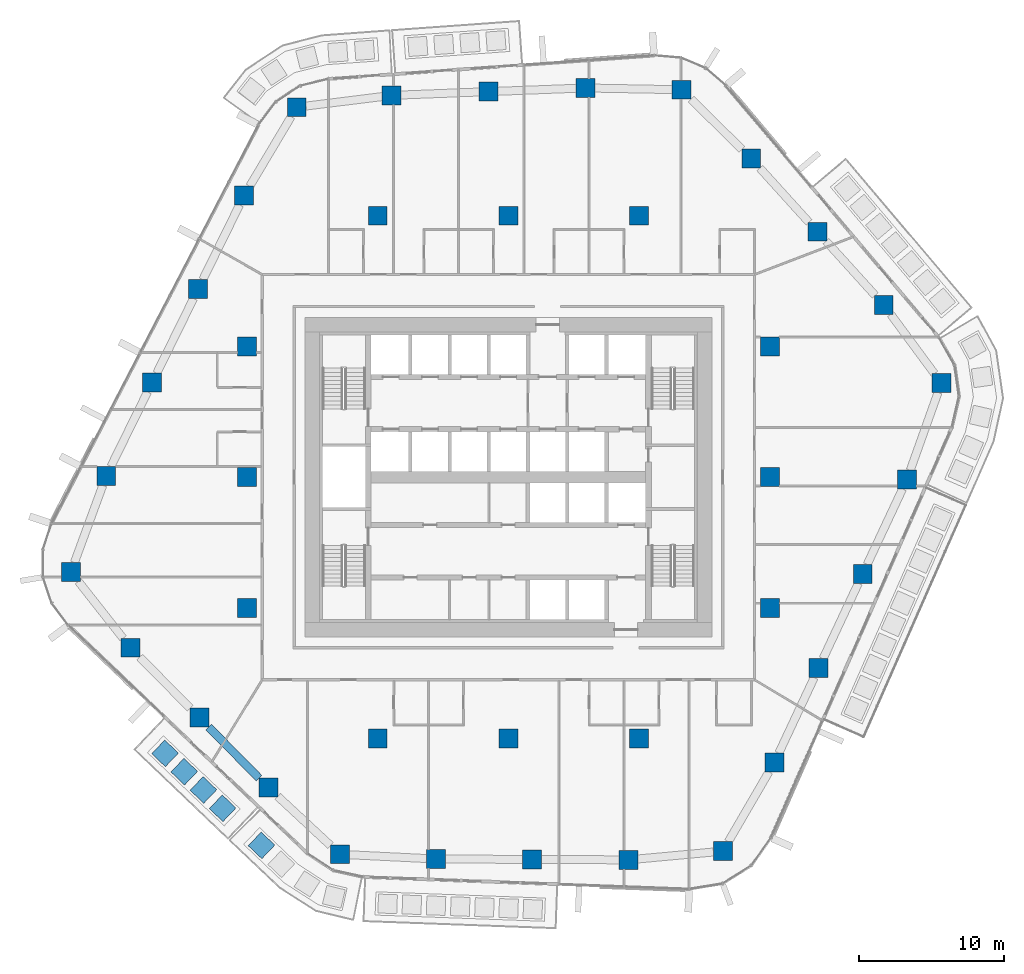
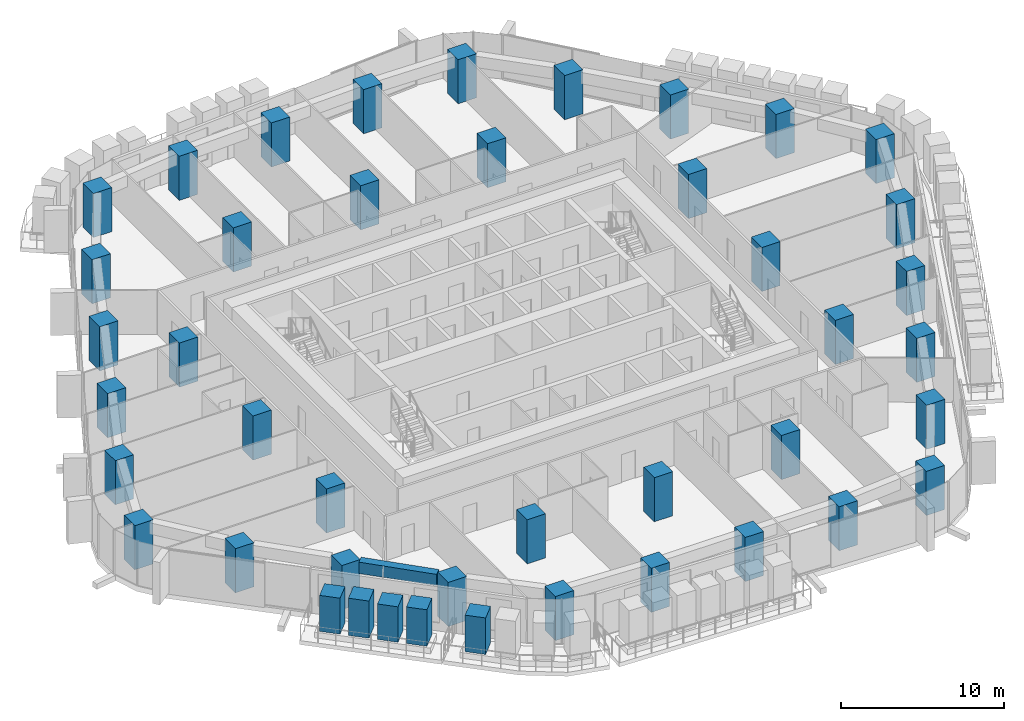
# One storey, part 1 of 24: 38 columns, 5 members, 1 beam.
"""IFC4 building model written with IfcOpenShell, lengths in metres."""

from ifc_helpers import new_model, si_unit, direction, frame, origin, origin_2d, place, context, subcontext, project, spatial, rectangle, extrude, material, material_profile, profile_set, type_object, element, save


model = new_model("IFC4")

# Units and contexts
model_context = context("Model", 3, precision=1e-05, world=origin(), true_north=direction((0.0, 1.0)))
body_context = subcontext(model_context, "Body", "Model", "MODEL_VIEW")
ifc_project = project(units=[si_unit("LENGTHUNIT", "METRE"), si_unit("AREAUNIT", "SQUARE_METRE"), si_unit("VOLUMEUNIT", "CUBIC_METRE"), si_unit("PLANEANGLEUNIT", "RADIAN"), si_unit("MASSUNIT", "GRAM", prefix="KILO")], contexts=[model_context])

# Site, building, storey
site_placement = place(None, origin())
site = spatial("IfcSite", under=ifc_project, at=site_placement, CompositionType="ELEMENT")
building_placement = place(site_placement, origin())
building = spatial("IfcBuilding", under=site, at=building_placement, Name="Dongbaek Canopy Tower", CompositionType="ELEMENT")
storey_placement = place(building_placement, frame((0.0, 0.0, 110.0)))
storey = spatial("IfcBuildingStorey", under=building, at=storey_placement, Name="L23", CompositionType="ELEMENT", Elevation=110.0)

# Columns
ifc_material_1 = material(Name="Concrete C80", Category="concrete")
ifc_material_profile_1 = material_profile(ifc_material_1, rectangle(XDim=1.300048828125, YDim=1.300048828125, at=origin_2d()), Name="RC COLUMN 1300x1300 C80")
ifc_profile_set_1 = profile_set([ifc_material_profile_1], Name="Concrete C80")
column_type = type_object("IfcColumnType", Name="RC COLUMN 1300x1300 C80", PredefinedType="COLUMN", material=ifc_profile_set_1)
for number, where, z_axis, x_axis, name in (
    (1, (14.760009765625, -25.7490234375, 0.0), (0.0, 0.0, 1.0), (1.0, 0.0, 0.0), "COL:CZ2-01:L23"),
    (2, (8.258056640625, -26.34912109375, 0.0), (0.0, 0.0, 1.0), (1.0, 0.0, 0.0), "COL:CZ2-02:L23"),
    (3, (1.62890625, -26.319091796875, 0.0), (0.0, 0.0, 1.0), (1.0, 0.0, 0.0), "COL:CZ2-03:L23"),
    (4, (-5.0, -26.2900390625, 0.0), (0.0, 0.0, 1.0), (1.0, 0.0, 0.0), "COL:CZ2-04:L23"),
    (5, (-11.59912109375, -25.966064453125, 0.0), (0.0, 0.0, 1.0), (1.0, 0.0, 0.0), "COL:CZ2-05:L23"),
    (6, (-16.532958984375, -21.376953125, 0.0), (0.0, 0.0, 1.0), (1.0, 0.0, 0.0), "COL:CZ2-06:L23"),
    (7, (-21.277099609375, -16.56005859375, 0.0), (0.0, 0.0, 1.0), (1.0, 0.0, 0.0), "COL:CZ2-07:L23"),
    (8, (-26.02099609375, -11.742919921875, 0.0), (0.0, 0.0, 1.0), (1.0, 0.0, 0.0), "COL:CZ2-08:L23"),
    (9, (-30.125, -6.527099609375, 0.0), (0.0, 0.0, 1.0), (1.0, 0.0, 0.0), "COL:CZ2-09:L23"),
    (10, (-27.693115234375, 0.0830078125, 0.0), (0.0, 0.0, 1.0), (1.0, 0.0, 0.0), "COL:CZ2-10:L23"),
    (11, (-24.529052734375, 6.51806640625, 0.0), (0.0, 0.0, 1.0), (1.0, 0.0, 0.0), "COL:CZ2-11:L23"),
    (12, (-21.364013671875, 12.951904296875, 0.0), (0.0, 0.0, 1.0), (1.0, 0.0, 0.0), "COL:CZ2-12:L23"),
    (13, (-18.198974609375, 19.385986328125, 0.0), (0.0, 0.0, 1.0), (1.0, 0.0, 0.0), "COL:CZ2-13:L23"),
    (14, (-14.575927734375, 25.471923828125, 0.0), (0.0, 0.0, 1.0), (1.0, 0.0, 0.0), "COL:CZ2-14:L23"),
    (15, (-8.041015625, 26.2880859375, 0.0), (0.0, 0.0, 1.0), (1.0, 0.0, 0.0), "COL:CZ2-15:L23"),
    (16, (-1.3720703125, 26.5439453125, 0.0), (0.0, 0.0, 1.0), (1.0, 0.0, 0.0), "COL:CZ2-16:L23"),
    (17, (5.294921875, 26.798095703125, 0.0), (0.0, 0.0, 1.0), (1.0, 0.0, 0.0), "COL:CZ2-17:L23"),
    (18, (11.9169921875, 26.674072265625, 0.0), (0.0, 0.0, 1.0), (1.0, 0.0, 0.0), "COL:CZ2-18:L23"),
    (19, (16.718017578125, 21.93505859375, 0.0), (0.0, 0.0, 1.0), (1.0, 0.0, 0.0), "COL:CZ2-19:L23"),
    (20, (21.280029296875, 16.89794921875, 0.0), (0.0, 0.0, 1.0), (1.0, 0.0, 0.0), "COL:CZ2-20:L23"),
    (21, (25.841064453125, 11.862060546875, 0.0), (0.0, 0.0, 1.0), (1.0, 0.0, 0.0), "COL:CZ2-21:L23"),
    (22, (29.81103515625, 6.48193359375, 0.0), (0.0, 0.0, 1.0), (1.0, 0.0, 0.0), "COL:CZ2-22:L23"),
    (23, (27.43603515625, -0.1650390625, 0.0), (0.0, 0.0, 1.0), (1.0, 0.0, 0.0), "COL:CZ2-23:L23"),
    (24, (24.39599609375, -6.656982421875, 0.0), (0.0, 0.0, 1.0), (1.0, 0.0, 0.0), "COL:CZ2-24:L23"),
    (25, (21.35595703125, -13.14990234375, 0.0), (0.0, 0.0, 1.0), (1.0, 0.0, 0.0), "COL:CZ2-25:L23"),
    (26, (18.31494140625, -19.64208984375, 0.0), (0.0, 0.0, 1.0), (1.0, 0.0, 0.0), "COL:CZ2-26:L23"),
    (27, (-18.0, -9.0, 0.0), (0.0, 0.0, 1.0), (1.0, 0.0, 0.0), "COL:CIZ2-01:L23"),
    (28, (-18.0, 0.0, 0.0), (0.0, 0.0, 1.0), (1.0, 0.0, 0.0), "COL:CIZ2-02:L23"),
    (29, (-18.0, 9.0, 0.0), (0.0, 0.0, 1.0), (1.0, 0.0, 0.0), "COL:CIZ2-03:L23"),
    (30, (-9.0, -18.0, 0.0), (0.0, 0.0, 1.0), (1.0, 0.0, 0.0), "COL:CIZ2-04:L23"),
    (31, (-9.0, 18.0, 0.0), (0.0, 0.0, 1.0), (1.0, 0.0, 0.0), "COL:CIZ2-05:L23"),
    (32, (0.0, -18.0, 0.0), (0.0, 0.0, 1.0), (1.0, 0.0, 0.0), "COL:CIZ2-06:L23"),
    (33, (0.0, 18.0, 0.0), (0.0, 0.0, 1.0), (1.0, 0.0, 0.0), "COL:CIZ2-07:L23"),
    (34, (9.0, -18.0, 0.0), (0.0, 0.0, 1.0), (1.0, 0.0, 0.0), "COL:CIZ2-08:L23"),
    (35, (9.0, 18.0, 0.0), (0.0, 0.0, 1.0), (1.0, 0.0, 0.0), "COL:CIZ2-09:L23"),
    (36, (18.0, -9.0, 0.0), (0.0, 0.0, 1.0), (1.0, 0.0, 0.0), "COL:CIZ2-10:L23"),
    (37, (18.0, 0.0, 0.0), (0.0, 0.0, 1.0), (1.0, 0.0, 0.0), "COL:CIZ2-11:L23"),
    (38, (18.0, 9.0, 0.0), (0.0, 0.0, 1.0), (1.0, 0.0, 0.0), "COL:CIZ2-12:L23"),
):
    element("IfcColumn", number, at=place(storey_placement, frame(where, z_axis=z_axis, x_axis=x_axis)), inside=storey, type_object=column_type, Name=name, PredefinedType="COLUMN", context=body_context, shape_type="SweptSolid", body=[
        extrude(rectangle(XDim=1.300048828125, YDim=1.300048828125, at=origin_2d()), origin(), (0.0, 0.0, 1.0), 3.300048828125),
    ])

# Beam
ifc_material_2 = material(Name="Concrete C80", Category="concrete")
ifc_material_profile_2 = material_profile(ifc_material_2, rectangle(XDim=0.550048828125, YDim=0.85009765625, at=origin_2d()), Name="RC EDGE BEAM 550x850 C80")
ifc_profile_set_2 = profile_set([ifc_material_profile_2], Name="Concrete C80")
beam_type = type_object("IfcBeamType", Name="RC EDGE BEAM 550x850 C80", PredefinedType="BEAM", material=ifc_profile_set_2)
beam_placement = place(storey_placement, frame((-17.173095703125, -20.72705078125, 2.875), z_axis=(-0.701695422573, 0.712477040992, 0.0), x_axis=(-0.712477040992, -0.701695422573, 0.0)))
element("IfcBeam", 39, at=beam_placement, inside=storey, type_object=beam_type, Name="EDGEBEAM:L23:05", PredefinedType="BEAM", context=body_context, shape_type="SweptSolid", body=[
    extrude(rectangle(XDim=0.550048828125, YDim=0.85009765625, at=origin_2d()), origin(), (0.0, 0.0, 1.0), 4.9365234375),
])

# Members
ifc_material_3 = material(Name="Concrete C40/50 planter mass with planting", Category="concrete")
ifc_material_profile_3 = material_profile(ifc_material_3, rectangle(XDim=1.300048828125, YDim=1.300048828125, at=origin_2d()), Name="Terrace PLANTER shrub mass 1300 x 1300")
ifc_profile_set_3 = profile_set([ifc_material_profile_3], Name="Concrete C40/50 planter mass with planting")
member_type = type_object("IfcMemberType", Name="Terrace PLANTER shrub mass 1300 x 1300", PredefinedType="USERDEFINED", material=ifc_profile_set_3)
member_1_placement = place(storey_placement, frame((-23.642578125, -19.017333984375, 0.419921875), z_axis=(0.0, 0.0, 1.0), x_axis=(-0.690482477156, -0.723349119541, 0.0)))
element("IfcMember", 40, at=member_1_placement, inside=storey, type_object=member_type, Name="Planter shrubs L23 3.1", ObjectType="PLANTER", PredefinedType="USERDEFINED", context=body_context, shape_type="SweptSolid", body=[
    extrude(rectangle(XDim=1.300048828125, YDim=1.300048828125, at=origin_2d()), origin(), (0.0, 0.0, 1.0), 2.690185546875),
])
member_2_placement = place(storey_placement, frame((-22.322021484375, -20.27783203125, 0.419921875), z_axis=(0.0, 0.0, 1.0), x_axis=(-0.690482477156, -0.723349119541, 0.0)))
element("IfcMember", 41, at=member_2_placement, inside=storey, type_object=member_type, Name="Planter shrubs L23 3.2", ObjectType="PLANTER", PredefinedType="USERDEFINED", context=body_context, shape_type="SweptSolid", body=[
    extrude(rectangle(XDim=1.300048828125, YDim=1.300048828125, at=origin_2d()), origin(), (0.0, 0.0, 1.0), 2.780029296875),
])
member_3_placement = place(storey_placement, frame((-21.001220703125, -21.53857421875, 0.419921875), z_axis=(0.0, 0.0, 1.0), x_axis=(-0.690482477156, -0.723349119541, 0.0)))
element("IfcMember", 42, at=member_3_placement, inside=storey, type_object=member_type, Name="Planter shrubs L23 3.3", ObjectType="PLANTER", PredefinedType="USERDEFINED", context=body_context, shape_type="SweptSolid", body=[
    extrude(rectangle(XDim=1.300048828125, YDim=1.300048828125, at=origin_2d()), origin(), (0.0, 0.0, 1.0), 2.650146484375),
])
for number, where, z_axis, x_axis, name in (
    (43, (-19.680419921875, -22.79931640625, 0.419921875), (0.0, 0.0, 1.0), (-0.690482477156, -0.723349119541, 0.0), "Planter shrubs L23 3.4"),
    (44, (-17.001708984375, -25.35400390625, 0.419921875), (0.0, 0.0, 1.0), (-0.689144208119, -0.724624220142, 0.0), "Planter shrubs L23 8.1"),
):
    element("IfcMember", number, at=place(storey_placement, frame(where, z_axis=z_axis, x_axis=x_axis)), inside=storey, type_object=member_type, Name=name, ObjectType="PLANTER", PredefinedType="USERDEFINED", context=body_context, shape_type="SweptSolid", body=[
        extrude(rectangle(XDim=1.300048828125, YDim=1.300048828125, at=origin_2d()), origin(), (0.0, 0.0, 1.0), 2.72998046875),
    ])

save(model, "model.ifc")
